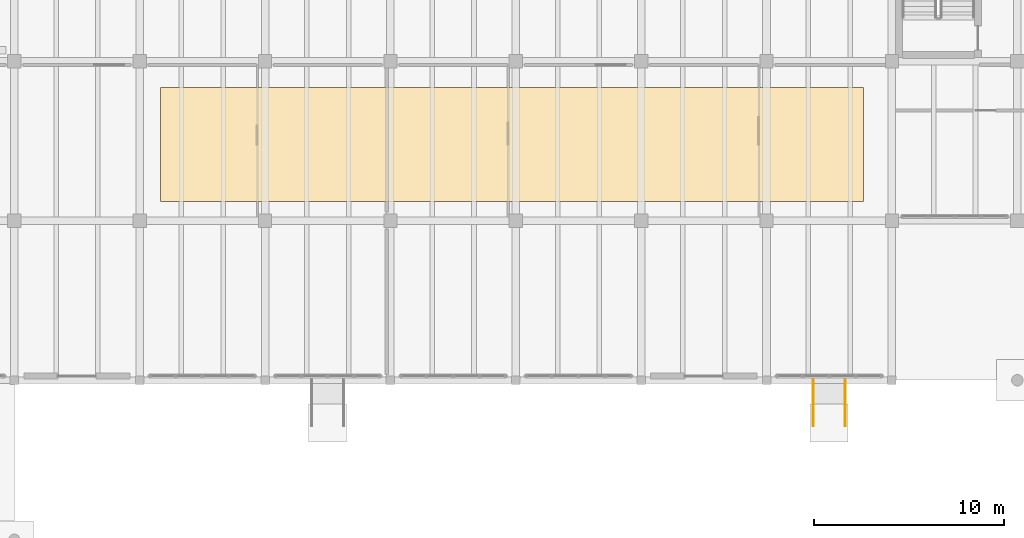
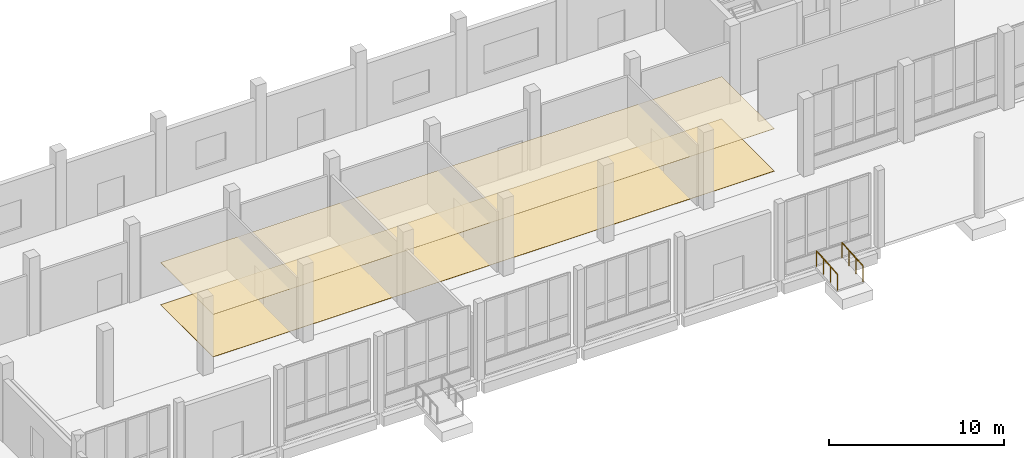
# One storey, part 60 of 64: 2 coverings, 2 railings.
"""IFC4 building model written with IfcOpenShell, lengths in metres."""

from ifc_helpers import new_model, si_unit, direction, frame, origin, origin_2d, place, context, subcontext, project, spatial, polyline, circle, outline, extrude, material, layer, layer_set, type_object, element, save


model = new_model("IFC4")

# Units and contexts
model_context = context("Model", 3, precision=1e-05, world=origin(), true_north=direction((0.0, 1.0)))
body_context = subcontext(model_context, "Body", "Model", "MODEL_VIEW")
ifc_project = project(units=[si_unit("LENGTHUNIT", "METRE"), si_unit("AREAUNIT", "SQUARE_METRE"), si_unit("VOLUMEUNIT", "CUBIC_METRE"), si_unit("PLANEANGLEUNIT", "RADIAN"), si_unit("MASSUNIT", "GRAM", prefix="KILO")], contexts=[model_context])

# Site, building, storey
site_placement = place(None, origin())
site = spatial("IfcSite", under=ifc_project, at=site_placement, CompositionType="ELEMENT")
building_placement = place(site_placement, origin())
building = spatial("IfcBuilding", under=site, at=building_placement, Name="Qaldarim Faculty of Natural and Applied Sciences", CompositionType="ELEMENT")
storey_placement = place(building_placement, origin())
storey = spatial("IfcBuildingStorey", under=building, at=storey_placement, Name="L00", CompositionType="ELEMENT", Elevation=0.0)

# Covering
ifc_material_1 = material(Name="Acoustic mineral fibre")
ifc_layer_1 = layer(ifc_material_1, 0.02001953125)
ifc_layer_set_1 = layer_set([ifc_layer_1], Name="Acoustic mineral fibre")
covering_type_1 = type_object("IfcCoveringType", Name="AcousticMineralCeiling-20", PredefinedType="CEILING", material=ifc_layer_set_1)
covering_1_placement = place(storey_placement, frame((0.0, 0.0, 2.949951171875)))
element("IfcCovering", 1, at=covering_1_placement, inside=storey, type_object=covering_type_1, Name="Acoustic mineral-fibre laboratory ceiling L00", PredefinedType="CEILING", context=body_context, shape_type="SweptSolid", body=[
    extrude(outline(polyline([(60.5, 101.800048828125), (97.5, 101.800048828125), (97.5, 107.800048828125), (60.5, 107.800048828125), (60.5, 101.800048828125)])), origin(), (0.0, 0.0, 1.0), 0.02001953125),
])

# Railings
ifc_material_2 = material(Name="Architectural stainless steel 316", Category="steel")
railing_type = type_object("IfcRailingType", Name="ExteriorGuardBalustrade-1100", PredefinedType="BALUSTRADE", material=ifc_material_2)
for number, where, name in (
    (2, (94.860107421875, 90.0, -0.199951171875), "Central square east accessible ramp handrail L"),
    (3, (96.5400390625, 90.0, -0.199951171875), "Central square east accessible ramp handrail R"),
):
    element("IfcRailing", number, at=place(storey_placement, frame(where)), inside=storey, type_object=railing_type, Name=name, PredefinedType="BALUSTRADE", context=body_context, shape_type="SweptSolid", body=[
        extrude(circle(Radius=0.02392578125, at=origin_2d()), frame((0.0, 0.0, 1.076171875), z_axis=(0.0, 0.996547156423, 0.083028700011), x_axis=(-1.0, 0.0, 0.0)), (0.0, 0.0, 1.0), 2.408203125),
        extrude(circle(Radius=0.02099609375, at=origin_2d()), origin(), (0.0, 0.0, 1.0), 1.052001953125),
        extrude(circle(Radius=0.02099609375, at=origin_2d()), frame((0.0, 0.800048828125, 0.066650390625)), (0.0, 0.0, 1.0), 1.052001953125),
        extrude(circle(Radius=0.02099609375, at=origin_2d()), frame((0.0, 1.599853515625, 0.13330078125)), (0.0, 0.0, 1.0), 1.052001953125),
        extrude(circle(Radius=0.02099609375, at=origin_2d()), frame((0.0, 2.39990234375, 0.199951171875)), (0.0, 0.0, 1.0), 1.052001953125),
    ])

# Covering
ifc_material_3 = material(Name="Chemical-resistant epoxy finish")
ifc_layer_2 = layer(ifc_material_3, 0.014892578125)
ifc_layer_set_2 = layer_set([ifc_layer_2], Name="Chemical-resistant epoxy finish")
covering_type_2 = type_object("IfcCoveringType", Name="LabEpoxyFlooring-15", PredefinedType="FLOORING", material=ifc_layer_set_2)
covering_2_placement = place(storey_placement, origin())
element("IfcCovering", 4, at=covering_2_placement, inside=storey, type_object=covering_type_2, Name="Chemical-resistant epoxy laboratory flooring L00", PredefinedType="FLOORING", context=body_context, shape_type="SweptSolid", body=[
    extrude(outline(polyline([(60.5, 101.800048828125), (97.5, 101.800048828125), (97.5, 107.800048828125), (60.5, 107.800048828125), (60.5, 101.800048828125)])), origin(), (0.0, 0.0, 1.0), 0.014892578125),
])

save(model, "model.ifc")
